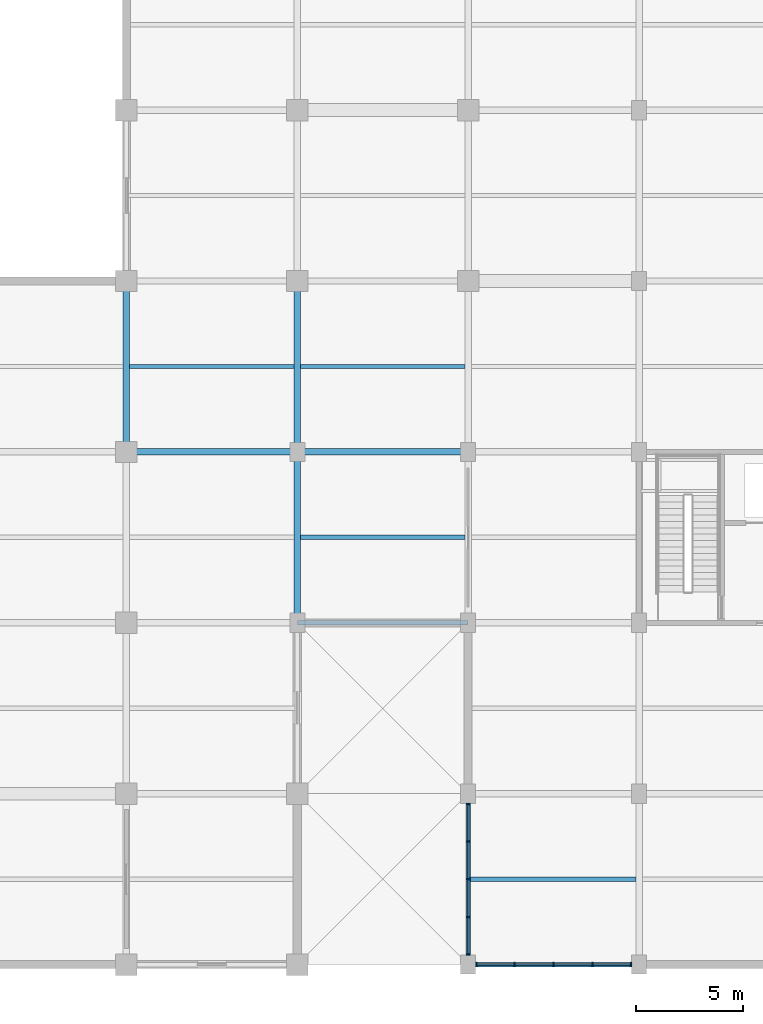
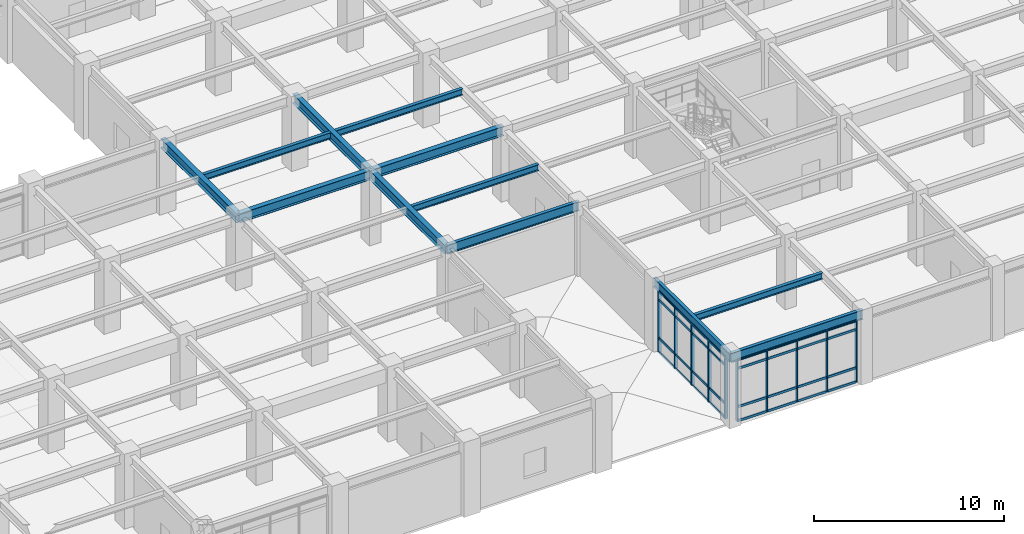
# One storey, part 26 of 117: 42 members, 12 beams, 2 elements without a shape of their own.
"""IFC4 building model written with IfcOpenShell, lengths in metres."""

from ifc_helpers import new_model, si_unit, direction, frame, origin, origin_2d, place, context, subcontext, project, spatial, rectangle, i_section, extrude, material, layer, layer_set, material_profile, profile_set, type_object, element, aggregate, save


model = new_model("IFC4")

# Units and contexts
model_context = context("Model", 3, precision=1e-05, world=origin(), true_north=direction((0.0, 1.0)))
body_context = subcontext(model_context, "Body", "Model", "MODEL_VIEW")
ifc_project = project(units=[si_unit("LENGTHUNIT", "METRE"), si_unit("AREAUNIT", "SQUARE_METRE"), si_unit("VOLUMEUNIT", "CUBIC_METRE"), si_unit("PLANEANGLEUNIT", "RADIAN"), si_unit("MASSUNIT", "GRAM", prefix="KILO")], contexts=[model_context])

# Site, building, storey
site_placement = place(None, origin())
site = spatial("IfcSite", under=ifc_project, at=site_placement, CompositionType="ELEMENT")
building_placement = place(site_placement, origin())
building = spatial("IfcBuilding", under=site, at=building_placement, Name="Haebicheon Civic Stadium", CompositionType="ELEMENT")
storey_placement = place(building_placement, frame((0.0, 0.0, 4.800048828125)))
storey = spatial("IfcBuildingStorey", under=building, at=storey_placement, Name="L02", CompositionType="ELEMENT", Elevation=4.800048828125)

# Beams
ifc_material_1 = material(Name="Steel SM355 (S355)", Category="steel")
ifc_material_profile_1 = material_profile(ifc_material_1, i_section(OverallWidth=0.300048828125, OverallDepth=0.60009765625, WebThickness=0.011962890625, FlangeThickness=0.02001953125, at=origin_2d()), Name="H-600x300x12x20")
ifc_profile_set_1 = profile_set([ifc_material_profile_1], Name="Steel SM355 (S355)")
beam_type_1 = type_object("IfcBeamType", Name="BM-ST-H600A", PredefinedType="BEAM", material=ifc_profile_set_1)
for number, where, z_axis, x_axis, name in (
    (1, (144.0, 24.0, 4.219970703125), (0.0, 1.0, 0.0), (-1.0, 0.0, 0.0), "L02 girder 19/D-E"),
    (2, (152.0, 16.0, 4.280029296875), (0.0, 1.0, 0.0), (-1.0, 0.0, 0.0), "L02 girder 20/C-D"),
    (3, (152.0, 24.0, 4.280029296875), (0.0, 1.0, 0.0), (-1.0, 0.0, 0.0), "L02 girder 20/D-E"),
    (4, (144.0, 24.0, 4.280029296875), (1.0, 0.0, 0.0), (0.0, 1.0, 0.0), "L02 beam D/19-20"),
    (5, (152.0, 24.0, 4.280029296875), (1.0, 0.0, 0.0), (0.0, 1.0, 0.0), "L02 beam D/20-21"),
):
    element("IfcBeam", number, at=place(storey_placement, frame(where, z_axis=z_axis, x_axis=x_axis)), inside=storey, type_object=beam_type_1, material=ifc_profile_set_1, Name=name, PredefinedType="BEAM", context=body_context, shape_type="SweptSolid", body=[
        extrude(i_section(OverallWidth=0.300048828125, OverallDepth=0.60009765625, WebThickness=0.011962890625, FlangeThickness=0.02001953125, at=origin_2d()), origin(), (0.0, 0.0, 1.0), 8.0),
    ])

# Curtain wall, members
ifc_material_2 = material(Name="Anodised aluminium and laminated glass", Category="aluminium")
ifc_layer_1 = layer(ifc_material_2, 0.179931640625, Name="Anodised aluminium and laminated glass")
ifc_layer_set_1 = layer_set([ifc_layer_1], Name="Anodised aluminium and laminated glass")
curtain_wall_type_1 = type_object("IfcCurtainWallType", Name="CW-7300x3910", PredefinedType="NOTDEFINED", material=ifc_layer_set_1)
curtain_wall_1_placement = place(storey_placement, origin())
curtain_wall_1 = element("IfcCurtainWall", 6, at=curtain_wall_1_placement, inside=storey, type_object=curtain_wall_type_1, material=ifc_layer_set_1, Name="L02 unitised curtain wall 053", PredefinedType="NOTDEFINED")
ifc_material_3 = material(Name="Anodised aluminium 6063-T6", Category="aluminium")
ifc_material_profile_2 = material_profile(ifc_material_3, rectangle(XDim=0.070068359375, YDim=0.199951171875, at=origin_2d()), Name="ALU-MULL-70x200")
ifc_profile_set_2 = profile_set([ifc_material_profile_2], Name="Anodised aluminium 6063-T6")
member_type_1 = type_object("IfcMemberType", Name="CWM-200x70", PredefinedType="MULLION", material=ifc_profile_set_2)
member_1_placement = place(storey_placement, frame((160.385009765625, 0.0, 0.0), z_axis=(0.0, 0.0, 1.0), x_axis=(1.0, 0.0, 0.0)))
member_1 = element("IfcMember", 7, at=member_1_placement, type_object=member_type_1, material=ifc_profile_set_2, Name="CW-L02-053 vertical mullion 1", PredefinedType="MULLION", context=body_context, shape_type="SweptSolid", body=[
    extrude(rectangle(XDim=0.070068359375, YDim=0.199951171875, at=origin_2d()), origin(), (0.0, 0.0, 1.0), 3.909912109375),
])
member_2_placement = place(storey_placement, frame((162.175048828125, 0.0, 0.0), z_axis=(0.0, 0.0, 1.0), x_axis=(1.0, 0.0, 0.0)))
member_2 = element("IfcMember", 8, at=member_2_placement, type_object=member_type_1, material=ifc_profile_set_2, Name="CW-L02-053 vertical mullion 2", PredefinedType="MULLION", context=body_context, shape_type="SweptSolid", body=[
    extrude(rectangle(XDim=0.070068359375, YDim=0.199951171875, at=origin_2d()), origin(), (0.0, 0.0, 1.0), 3.909912109375),
])
member_3_placement = place(storey_placement, frame((164.0, 0.0, 0.0), z_axis=(0.0, 0.0, 1.0), x_axis=(1.0, 0.0, 0.0)))
member_3 = element("IfcMember", 9, at=member_3_placement, type_object=member_type_1, material=ifc_profile_set_2, Name="CW-L02-053 vertical mullion 3", PredefinedType="MULLION", context=body_context, shape_type="SweptSolid", body=[
    extrude(rectangle(XDim=0.070068359375, YDim=0.199951171875, at=origin_2d()), origin(), (0.0, 0.0, 1.0), 3.909912109375),
])
member_4_placement = place(storey_placement, frame((165.824951171875, 0.0, 0.0), z_axis=(0.0, 0.0, 1.0), x_axis=(1.0, 0.0, 0.0)))
member_4 = element("IfcMember", 10, at=member_4_placement, type_object=member_type_1, material=ifc_profile_set_2, Name="CW-L02-053 vertical mullion 4", PredefinedType="MULLION", context=body_context, shape_type="SweptSolid", body=[
    extrude(rectangle(XDim=0.070068359375, YDim=0.199951171875, at=origin_2d()), origin(), (0.0, 0.0, 1.0), 3.909912109375),
])
member_5_placement = place(storey_placement, frame((167.614990234375, 0.0, 0.0), z_axis=(0.0, 0.0, 1.0), x_axis=(1.0, 0.0, 0.0)))
member_5 = element("IfcMember", 11, at=member_5_placement, type_object=member_type_1, material=ifc_profile_set_2, Name="CW-L02-053 vertical mullion 5", PredefinedType="MULLION", context=body_context, shape_type="SweptSolid", body=[
    extrude(rectangle(XDim=0.070068359375, YDim=0.199951171875, at=origin_2d()), origin(), (0.0, 0.0, 1.0), 3.909912109375),
])

ifc_material_4 = material(Name="Anodised aluminium and laminated glass", Category="aluminium")
ifc_layer_2 = layer(ifc_material_4, 0.179931640625, Name="Anodised aluminium and laminated glass")
ifc_layer_set_2 = layer_set([ifc_layer_2], Name="Anodised aluminium and laminated glass")
curtain_wall_type_2 = type_object("IfcCurtainWallType", Name="CW-7100x3910", PredefinedType="NOTDEFINED", material=ifc_layer_set_2)
curtain_wall_2_placement = place(storey_placement, origin())
curtain_wall_2 = element("IfcCurtainWall", 12, at=curtain_wall_2_placement, inside=storey, type_object=curtain_wall_type_2, material=ifc_layer_set_2, Name="L02 unitised curtain wall 054", PredefinedType="NOTDEFINED")
member_6_placement = place(storey_placement, frame((160.0, 0.485107421875, 0.0), z_axis=(0.0, 0.0, 1.0), x_axis=(0.0, 1.0, 0.0)))
member_6 = element("IfcMember", 13, at=member_6_placement, type_object=member_type_1, material=ifc_profile_set_2, Name="CW-L02-054 vertical mullion 1", PredefinedType="MULLION", context=body_context, shape_type="SweptSolid", body=[
    extrude(rectangle(XDim=0.070068359375, YDim=0.199951171875, at=origin_2d()), origin(), (0.0, 0.0, 1.0), 3.909912109375),
])
member_7_placement = place(storey_placement, frame((160.0, 2.22509765625, 0.0), z_axis=(0.0, 0.0, 1.0), x_axis=(0.0, 1.0, 0.0)))
member_7 = element("IfcMember", 14, at=member_7_placement, type_object=member_type_1, material=ifc_profile_set_2, Name="CW-L02-054 vertical mullion 2", PredefinedType="MULLION", context=body_context, shape_type="SweptSolid", body=[
    extrude(rectangle(XDim=0.070068359375, YDim=0.199951171875, at=origin_2d()), origin(), (0.0, 0.0, 1.0), 3.909912109375),
])
member_8_placement = place(storey_placement, frame((160.0, 4.0, 0.0), z_axis=(0.0, 0.0, 1.0), x_axis=(0.0, 1.0, 0.0)))
member_8 = element("IfcMember", 15, at=member_8_placement, type_object=member_type_1, material=ifc_profile_set_2, Name="CW-L02-054 vertical mullion 3", PredefinedType="MULLION", context=body_context, shape_type="SweptSolid", body=[
    extrude(rectangle(XDim=0.070068359375, YDim=0.199951171875, at=origin_2d()), origin(), (0.0, 0.0, 1.0), 3.909912109375),
])
member_9_placement = place(storey_placement, frame((160.0, 5.77490234375, 0.0), z_axis=(0.0, 0.0, 1.0), x_axis=(0.0, 1.0, 0.0)))
member_9 = element("IfcMember", 16, at=member_9_placement, type_object=member_type_1, material=ifc_profile_set_2, Name="CW-L02-054 vertical mullion 4", PredefinedType="MULLION", context=body_context, shape_type="SweptSolid", body=[
    extrude(rectangle(XDim=0.070068359375, YDim=0.199951171875, at=origin_2d()), origin(), (0.0, 0.0, 1.0), 3.909912109375),
])
member_10_placement = place(storey_placement, frame((160.0, 7.514892578125, 0.0), z_axis=(0.0, 0.0, 1.0), x_axis=(0.0, 1.0, 0.0)))
member_10 = element("IfcMember", 17, at=member_10_placement, type_object=member_type_1, material=ifc_profile_set_2, Name="CW-L02-054 vertical mullion 5", PredefinedType="MULLION", context=body_context, shape_type="SweptSolid", body=[
    extrude(rectangle(XDim=0.070068359375, YDim=0.199951171875, at=origin_2d()), origin(), (0.0, 0.0, 1.0), 3.909912109375),
])

# Member
ifc_material_5 = material(Name="Anodised aluminium 6063-T6", Category="aluminium")
ifc_material_profile_3 = material_profile(ifc_material_5, rectangle(XDim=0.070068359375, YDim=0.14990234375, at=origin_2d()), Name="ALU-TRAN-70x150")
ifc_profile_set_3 = profile_set([ifc_material_profile_3], Name="Anodised aluminium 6063-T6")
member_type_2 = type_object("IfcMemberType", Name="CWT-150x70", PredefinedType="NOTDEFINED", material=ifc_profile_set_3)
member_11_placement = place(storey_placement, frame((160.419921875, 0.0, 0.0), z_axis=(1.0, 0.0, 0.0), x_axis=(0.0, 1.0, 0.0)))
member_11 = element("IfcMember", 18, at=member_11_placement, type_object=member_type_2, material=ifc_profile_set_3, Name="CW-L02-053 horizontal transom 1.1", ObjectType="TRANSOM", PredefinedType="USERDEFINED", context=body_context, shape_type="SweptSolid", body=[
    extrude(rectangle(XDim=0.070068359375, YDim=0.14990234375, at=origin_2d()), origin(), (0.0, 0.0, 1.0), 1.719970703125),
])

member_12_placement = place(storey_placement, frame((160.419921875, 0.0, 0.89990234375), z_axis=(1.0, 0.0, 0.0), x_axis=(0.0, 1.0, 0.0)))
member_12 = element("IfcMember", 19, at=member_12_placement, type_object=member_type_2, material=ifc_profile_set_3, Name="CW-L02-053 horizontal transom 1.2", ObjectType="TRANSOM", PredefinedType="USERDEFINED", context=body_context, shape_type="SweptSolid", body=[
    extrude(rectangle(XDim=0.070068359375, YDim=0.14990234375, at=origin_2d()), origin(), (0.0, 0.0, 1.0), 1.719970703125),
])

member_13_placement = place(storey_placement, frame((160.419921875, 0.0, 3.35986328125), z_axis=(1.0, 0.0, 0.0), x_axis=(0.0, 1.0, 0.0)))
member_13 = element("IfcMember", 20, at=member_13_placement, type_object=member_type_2, material=ifc_profile_set_3, Name="CW-L02-053 horizontal transom 1.3", ObjectType="TRANSOM", PredefinedType="USERDEFINED", context=body_context, shape_type="SweptSolid", body=[
    extrude(rectangle(XDim=0.070068359375, YDim=0.14990234375, at=origin_2d()), origin(), (0.0, 0.0, 1.0), 1.719970703125),
])

member_14_placement = place(storey_placement, frame((160.419921875, 0.0, 3.909912109375), z_axis=(1.0, 0.0, 0.0), x_axis=(0.0, 1.0, 0.0)))
member_14 = element("IfcMember", 21, at=member_14_placement, type_object=member_type_2, material=ifc_profile_set_3, Name="CW-L02-053 horizontal transom 1.4", ObjectType="TRANSOM", PredefinedType="USERDEFINED", context=body_context, shape_type="SweptSolid", body=[
    extrude(rectangle(XDim=0.070068359375, YDim=0.14990234375, at=origin_2d()), origin(), (0.0, 0.0, 1.0), 1.719970703125),
])

member_15_placement = place(storey_placement, frame((162.2099609375, 0.0, 0.0), z_axis=(1.0, 0.0, 0.0), x_axis=(0.0, 1.0, 0.0)))
member_15 = element("IfcMember", 22, at=member_15_placement, type_object=member_type_2, material=ifc_profile_set_3, Name="CW-L02-053 horizontal transom 2.1", ObjectType="TRANSOM", PredefinedType="USERDEFINED", context=body_context, shape_type="SweptSolid", body=[
    extrude(rectangle(XDim=0.070068359375, YDim=0.14990234375, at=origin_2d()), origin(), (0.0, 0.0, 1.0), 1.755126953125),
])

member_16_placement = place(storey_placement, frame((162.2099609375, 0.0, 0.89990234375), z_axis=(1.0, 0.0, 0.0), x_axis=(0.0, 1.0, 0.0)))
member_16 = element("IfcMember", 23, at=member_16_placement, type_object=member_type_2, material=ifc_profile_set_3, Name="CW-L02-053 horizontal transom 2.2", ObjectType="TRANSOM", PredefinedType="USERDEFINED", context=body_context, shape_type="SweptSolid", body=[
    extrude(rectangle(XDim=0.070068359375, YDim=0.14990234375, at=origin_2d()), origin(), (0.0, 0.0, 1.0), 1.755126953125),
])

member_17_placement = place(storey_placement, frame((162.2099609375, 0.0, 3.35986328125), z_axis=(1.0, 0.0, 0.0), x_axis=(0.0, 1.0, 0.0)))
member_17 = element("IfcMember", 24, at=member_17_placement, type_object=member_type_2, material=ifc_profile_set_3, Name="CW-L02-053 horizontal transom 2.3", ObjectType="TRANSOM", PredefinedType="USERDEFINED", context=body_context, shape_type="SweptSolid", body=[
    extrude(rectangle(XDim=0.070068359375, YDim=0.14990234375, at=origin_2d()), origin(), (0.0, 0.0, 1.0), 1.755126953125),
])

member_18_placement = place(storey_placement, frame((162.2099609375, 0.0, 3.909912109375), z_axis=(1.0, 0.0, 0.0), x_axis=(0.0, 1.0, 0.0)))
member_18 = element("IfcMember", 25, at=member_18_placement, type_object=member_type_2, material=ifc_profile_set_3, Name="CW-L02-053 horizontal transom 2.4", ObjectType="TRANSOM", PredefinedType="USERDEFINED", context=body_context, shape_type="SweptSolid", body=[
    extrude(rectangle(XDim=0.070068359375, YDim=0.14990234375, at=origin_2d()), origin(), (0.0, 0.0, 1.0), 1.755126953125),
])

member_19_placement = place(storey_placement, frame((164.034912109375, 0.0, 0.0), z_axis=(1.0, 0.0, 0.0), x_axis=(0.0, 1.0, 0.0)))
member_19 = element("IfcMember", 26, at=member_19_placement, type_object=member_type_2, material=ifc_profile_set_3, Name="CW-L02-053 horizontal transom 3.1", ObjectType="TRANSOM", PredefinedType="USERDEFINED", context=body_context, shape_type="SweptSolid", body=[
    extrude(rectangle(XDim=0.070068359375, YDim=0.14990234375, at=origin_2d()), origin(), (0.0, 0.0, 1.0), 1.755126953125),
])

member_20_placement = place(storey_placement, frame((164.034912109375, 0.0, 0.89990234375), z_axis=(1.0, 0.0, 0.0), x_axis=(0.0, 1.0, 0.0)))
member_20 = element("IfcMember", 27, at=member_20_placement, type_object=member_type_2, material=ifc_profile_set_3, Name="CW-L02-053 horizontal transom 3.2", ObjectType="TRANSOM", PredefinedType="USERDEFINED", context=body_context, shape_type="SweptSolid", body=[
    extrude(rectangle(XDim=0.070068359375, YDim=0.14990234375, at=origin_2d()), origin(), (0.0, 0.0, 1.0), 1.755126953125),
])

member_21_placement = place(storey_placement, frame((164.034912109375, 0.0, 3.35986328125), z_axis=(1.0, 0.0, 0.0), x_axis=(0.0, 1.0, 0.0)))
member_21 = element("IfcMember", 28, at=member_21_placement, type_object=member_type_2, material=ifc_profile_set_3, Name="CW-L02-053 horizontal transom 3.3", ObjectType="TRANSOM", PredefinedType="USERDEFINED", context=body_context, shape_type="SweptSolid", body=[
    extrude(rectangle(XDim=0.070068359375, YDim=0.14990234375, at=origin_2d()), origin(), (0.0, 0.0, 1.0), 1.755126953125),
])

member_22_placement = place(storey_placement, frame((164.034912109375, 0.0, 3.909912109375), z_axis=(1.0, 0.0, 0.0), x_axis=(0.0, 1.0, 0.0)))
member_22 = element("IfcMember", 29, at=member_22_placement, type_object=member_type_2, material=ifc_profile_set_3, Name="CW-L02-053 horizontal transom 3.4", ObjectType="TRANSOM", PredefinedType="USERDEFINED", context=body_context, shape_type="SweptSolid", body=[
    extrude(rectangle(XDim=0.070068359375, YDim=0.14990234375, at=origin_2d()), origin(), (0.0, 0.0, 1.0), 1.755126953125),
])

member_23_placement = place(storey_placement, frame((165.860107421875, 0.0, 0.0), z_axis=(1.0, 0.0, 0.0), x_axis=(0.0, 1.0, 0.0)))
member_23 = element("IfcMember", 30, at=member_23_placement, type_object=member_type_2, material=ifc_profile_set_3, Name="CW-L02-053 horizontal transom 4.1", ObjectType="TRANSOM", PredefinedType="USERDEFINED", context=body_context, shape_type="SweptSolid", body=[
    extrude(rectangle(XDim=0.070068359375, YDim=0.14990234375, at=origin_2d()), origin(), (0.0, 0.0, 1.0), 1.719970703125),
])

member_24_placement = place(storey_placement, frame((165.860107421875, 0.0, 0.89990234375), z_axis=(1.0, 0.0, 0.0), x_axis=(0.0, 1.0, 0.0)))
member_24 = element("IfcMember", 31, at=member_24_placement, type_object=member_type_2, material=ifc_profile_set_3, Name="CW-L02-053 horizontal transom 4.2", ObjectType="TRANSOM", PredefinedType="USERDEFINED", context=body_context, shape_type="SweptSolid", body=[
    extrude(rectangle(XDim=0.070068359375, YDim=0.14990234375, at=origin_2d()), origin(), (0.0, 0.0, 1.0), 1.719970703125),
])

member_25_placement = place(storey_placement, frame((165.860107421875, 0.0, 3.35986328125), z_axis=(1.0, 0.0, 0.0), x_axis=(0.0, 1.0, 0.0)))
member_25 = element("IfcMember", 32, at=member_25_placement, type_object=member_type_2, material=ifc_profile_set_3, Name="CW-L02-053 horizontal transom 4.3", ObjectType="TRANSOM", PredefinedType="USERDEFINED", context=body_context, shape_type="SweptSolid", body=[
    extrude(rectangle(XDim=0.070068359375, YDim=0.14990234375, at=origin_2d()), origin(), (0.0, 0.0, 1.0), 1.719970703125),
])

member_26_placement = place(storey_placement, frame((165.860107421875, 0.0, 3.909912109375), z_axis=(1.0, 0.0, 0.0), x_axis=(0.0, 1.0, 0.0)))
member_26 = element("IfcMember", 33, at=member_26_placement, type_object=member_type_2, material=ifc_profile_set_3, Name="CW-L02-053 horizontal transom 4.4", ObjectType="TRANSOM", PredefinedType="USERDEFINED", context=body_context, shape_type="SweptSolid", body=[
    extrude(rectangle(XDim=0.070068359375, YDim=0.14990234375, at=origin_2d()), origin(), (0.0, 0.0, 1.0), 1.719970703125),
])

aggregate(curtain_wall_1, [member_1, member_2, member_3, member_4, member_5, member_11, member_12, member_13, member_14, member_15, member_16, member_17, member_18, member_19, member_20, member_21, member_22, member_23, member_24, member_25, member_26])

member_27_placement = place(storey_placement, frame((160.0, 0.52001953125, 0.0), z_axis=(0.0, 1.0, 0.0), x_axis=(-1.0, 0.0, 0.0)))
member_27 = element("IfcMember", 34, at=member_27_placement, type_object=member_type_2, material=ifc_profile_set_3, Name="CW-L02-054 horizontal transom 1.1", ObjectType="TRANSOM", PredefinedType="USERDEFINED", context=body_context, shape_type="SweptSolid", body=[
    extrude(rectangle(XDim=0.070068359375, YDim=0.14990234375, at=origin_2d()), origin(), (0.0, 0.0, 1.0), 1.669921875),
])

member_28_placement = place(storey_placement, frame((160.0, 0.52001953125, 0.89990234375), z_axis=(0.0, 1.0, 0.0), x_axis=(-1.0, 0.0, 0.0)))
member_28 = element("IfcMember", 35, at=member_28_placement, type_object=member_type_2, material=ifc_profile_set_3, Name="CW-L02-054 horizontal transom 1.2", ObjectType="TRANSOM", PredefinedType="USERDEFINED", context=body_context, shape_type="SweptSolid", body=[
    extrude(rectangle(XDim=0.070068359375, YDim=0.14990234375, at=origin_2d()), origin(), (0.0, 0.0, 1.0), 1.669921875),
])

member_29_placement = place(storey_placement, frame((160.0, 0.52001953125, 3.35986328125), z_axis=(0.0, 1.0, 0.0), x_axis=(-1.0, 0.0, 0.0)))
member_29 = element("IfcMember", 36, at=member_29_placement, type_object=member_type_2, material=ifc_profile_set_3, Name="CW-L02-054 horizontal transom 1.3", ObjectType="TRANSOM", PredefinedType="USERDEFINED", context=body_context, shape_type="SweptSolid", body=[
    extrude(rectangle(XDim=0.070068359375, YDim=0.14990234375, at=origin_2d()), origin(), (0.0, 0.0, 1.0), 1.669921875),
])

member_30_placement = place(storey_placement, frame((160.0, 0.52001953125, 3.909912109375), z_axis=(0.0, 1.0, 0.0), x_axis=(-1.0, 0.0, 0.0)))
member_30 = element("IfcMember", 37, at=member_30_placement, type_object=member_type_2, material=ifc_profile_set_3, Name="CW-L02-054 horizontal transom 1.4", ObjectType="TRANSOM", PredefinedType="USERDEFINED", context=body_context, shape_type="SweptSolid", body=[
    extrude(rectangle(XDim=0.070068359375, YDim=0.14990234375, at=origin_2d()), origin(), (0.0, 0.0, 1.0), 1.669921875),
])

member_31_placement = place(storey_placement, frame((160.0, 2.260009765625, 0.0), z_axis=(0.0, 1.0, 0.0), x_axis=(-1.0, 0.0, 0.0)))
member_31 = element("IfcMember", 38, at=member_31_placement, type_object=member_type_2, material=ifc_profile_set_3, Name="CW-L02-054 horizontal transom 2.1", ObjectType="TRANSOM", PredefinedType="USERDEFINED", context=body_context, shape_type="SweptSolid", body=[
    extrude(rectangle(XDim=0.070068359375, YDim=0.14990234375, at=origin_2d()), origin(), (0.0, 0.0, 1.0), 1.705078125),
])

member_32_placement = place(storey_placement, frame((160.0, 2.260009765625, 0.89990234375), z_axis=(0.0, 1.0, 0.0), x_axis=(-1.0, 0.0, 0.0)))
member_32 = element("IfcMember", 39, at=member_32_placement, type_object=member_type_2, material=ifc_profile_set_3, Name="CW-L02-054 horizontal transom 2.2", ObjectType="TRANSOM", PredefinedType="USERDEFINED", context=body_context, shape_type="SweptSolid", body=[
    extrude(rectangle(XDim=0.070068359375, YDim=0.14990234375, at=origin_2d()), origin(), (0.0, 0.0, 1.0), 1.705078125),
])

member_33_placement = place(storey_placement, frame((160.0, 2.260009765625, 3.35986328125), z_axis=(0.0, 1.0, 0.0), x_axis=(-1.0, 0.0, 0.0)))
member_33 = element("IfcMember", 40, at=member_33_placement, type_object=member_type_2, material=ifc_profile_set_3, Name="CW-L02-054 horizontal transom 2.3", ObjectType="TRANSOM", PredefinedType="USERDEFINED", context=body_context, shape_type="SweptSolid", body=[
    extrude(rectangle(XDim=0.070068359375, YDim=0.14990234375, at=origin_2d()), origin(), (0.0, 0.0, 1.0), 1.705078125),
])

member_34_placement = place(storey_placement, frame((160.0, 2.260009765625, 3.909912109375), z_axis=(0.0, 1.0, 0.0), x_axis=(-1.0, 0.0, 0.0)))
member_34 = element("IfcMember", 41, at=member_34_placement, type_object=member_type_2, material=ifc_profile_set_3, Name="CW-L02-054 horizontal transom 2.4", ObjectType="TRANSOM", PredefinedType="USERDEFINED", context=body_context, shape_type="SweptSolid", body=[
    extrude(rectangle(XDim=0.070068359375, YDim=0.14990234375, at=origin_2d()), origin(), (0.0, 0.0, 1.0), 1.705078125),
])

member_35_placement = place(storey_placement, frame((160.0, 4.034912109375, 0.0), z_axis=(0.0, 1.0, 0.0), x_axis=(-1.0, 0.0, 0.0)))
member_35 = element("IfcMember", 42, at=member_35_placement, type_object=member_type_2, material=ifc_profile_set_3, Name="CW-L02-054 horizontal transom 3.1", ObjectType="TRANSOM", PredefinedType="USERDEFINED", context=body_context, shape_type="SweptSolid", body=[
    extrude(rectangle(XDim=0.070068359375, YDim=0.14990234375, at=origin_2d()), origin(), (0.0, 0.0, 1.0), 1.705078125),
])

member_36_placement = place(storey_placement, frame((160.0, 4.034912109375, 0.89990234375), z_axis=(0.0, 1.0, 0.0), x_axis=(-1.0, 0.0, 0.0)))
member_36 = element("IfcMember", 43, at=member_36_placement, type_object=member_type_2, material=ifc_profile_set_3, Name="CW-L02-054 horizontal transom 3.2", ObjectType="TRANSOM", PredefinedType="USERDEFINED", context=body_context, shape_type="SweptSolid", body=[
    extrude(rectangle(XDim=0.070068359375, YDim=0.14990234375, at=origin_2d()), origin(), (0.0, 0.0, 1.0), 1.705078125),
])

member_37_placement = place(storey_placement, frame((160.0, 4.034912109375, 3.35986328125), z_axis=(0.0, 1.0, 0.0), x_axis=(-1.0, 0.0, 0.0)))
member_37 = element("IfcMember", 44, at=member_37_placement, type_object=member_type_2, material=ifc_profile_set_3, Name="CW-L02-054 horizontal transom 3.3", ObjectType="TRANSOM", PredefinedType="USERDEFINED", context=body_context, shape_type="SweptSolid", body=[
    extrude(rectangle(XDim=0.070068359375, YDim=0.14990234375, at=origin_2d()), origin(), (0.0, 0.0, 1.0), 1.705078125),
])

member_38_placement = place(storey_placement, frame((160.0, 4.034912109375, 3.909912109375), z_axis=(0.0, 1.0, 0.0), x_axis=(-1.0, 0.0, 0.0)))
member_38 = element("IfcMember", 45, at=member_38_placement, type_object=member_type_2, material=ifc_profile_set_3, Name="CW-L02-054 horizontal transom 3.4", ObjectType="TRANSOM", PredefinedType="USERDEFINED", context=body_context, shape_type="SweptSolid", body=[
    extrude(rectangle(XDim=0.070068359375, YDim=0.14990234375, at=origin_2d()), origin(), (0.0, 0.0, 1.0), 1.705078125),
])

member_39_placement = place(storey_placement, frame((160.0, 5.81005859375, 0.0), z_axis=(0.0, 1.0, 0.0), x_axis=(-1.0, 0.0, 0.0)))
member_39 = element("IfcMember", 46, at=member_39_placement, type_object=member_type_2, material=ifc_profile_set_3, Name="CW-L02-054 horizontal transom 4.1", ObjectType="TRANSOM", PredefinedType="USERDEFINED", context=body_context, shape_type="SweptSolid", body=[
    extrude(rectangle(XDim=0.070068359375, YDim=0.14990234375, at=origin_2d()), origin(), (0.0, 0.0, 1.0), 1.669921875),
])

member_40_placement = place(storey_placement, frame((160.0, 5.81005859375, 0.89990234375), z_axis=(0.0, 1.0, 0.0), x_axis=(-1.0, 0.0, 0.0)))
member_40 = element("IfcMember", 47, at=member_40_placement, type_object=member_type_2, material=ifc_profile_set_3, Name="CW-L02-054 horizontal transom 4.2", ObjectType="TRANSOM", PredefinedType="USERDEFINED", context=body_context, shape_type="SweptSolid", body=[
    extrude(rectangle(XDim=0.070068359375, YDim=0.14990234375, at=origin_2d()), origin(), (0.0, 0.0, 1.0), 1.669921875),
])

member_41_placement = place(storey_placement, frame((160.0, 5.81005859375, 3.35986328125), z_axis=(0.0, 1.0, 0.0), x_axis=(-1.0, 0.0, 0.0)))
member_41 = element("IfcMember", 48, at=member_41_placement, type_object=member_type_2, material=ifc_profile_set_3, Name="CW-L02-054 horizontal transom 4.3", ObjectType="TRANSOM", PredefinedType="USERDEFINED", context=body_context, shape_type="SweptSolid", body=[
    extrude(rectangle(XDim=0.070068359375, YDim=0.14990234375, at=origin_2d()), origin(), (0.0, 0.0, 1.0), 1.669921875),
])

member_42_placement = place(storey_placement, frame((160.0, 5.81005859375, 3.909912109375), z_axis=(0.0, 1.0, 0.0), x_axis=(-1.0, 0.0, 0.0)))
member_42 = element("IfcMember", 49, at=member_42_placement, type_object=member_type_2, material=ifc_profile_set_3, Name="CW-L02-054 horizontal transom 4.4", ObjectType="TRANSOM", PredefinedType="USERDEFINED", context=body_context, shape_type="SweptSolid", body=[
    extrude(rectangle(XDim=0.070068359375, YDim=0.14990234375, at=origin_2d()), origin(), (0.0, 0.0, 1.0), 1.669921875),
])

aggregate(curtain_wall_2, [member_6, member_7, member_8, member_9, member_10, member_27, member_28, member_29, member_30, member_31, member_32, member_33, member_34, member_35, member_36, member_37, member_38, member_39, member_40, member_41, member_42])

# Beams
ifc_material_6 = material(Name="Steel SM355 (S355)", Category="steel")
ifc_material_profile_4 = material_profile(ifc_material_6, i_section(OverallWidth=0.199951171875, OverallDepth=0.39990234375, WebThickness=0.008056640625, FlangeThickness=0.012939453125, at=origin_2d()), Name="H-400x200x8x13")
ifc_profile_set_4 = profile_set([ifc_material_profile_4], Name="Steel SM355 (S355)")
beam_type_2 = type_object("IfcBeamType", Name="JST-ST-H400", PredefinedType="JOIST", material=ifc_profile_set_4)
for number, where, z_axis, x_axis, name in (
    (50, (144.14990234375, 28.0, 4.3798828125), (1.0, 0.0, 0.0), (0.0, 1.0, 0.0), "L02 secondary joist 18-03"),
    (51, (152.14990234375, 20.0, 4.3798828125), (1.0, 0.0, 0.0), (0.0, 1.0, 0.0), "L02 secondary joist 19-02"),
    (52, (152.14990234375, 28.0, 4.3798828125), (1.0, 0.0, 0.0), (0.0, 1.0, 0.0), "L02 secondary joist 19-03"),
):
    element("IfcBeam", number, at=place(storey_placement, frame(where, z_axis=z_axis, x_axis=x_axis)), inside=storey, type_object=beam_type_2, material=ifc_profile_set_4, Name=name, PredefinedType="JOIST", context=body_context, shape_type="SweptSolid", body=[
        extrude(i_section(OverallWidth=0.199951171875, OverallDepth=0.39990234375, WebThickness=0.008056640625, FlangeThickness=0.012939453125, at=origin_2d()), origin(), (0.0, 0.0, 1.0), 7.7001953125),
    ])
beam_placement = place(storey_placement, frame((160.10009765625, 4.0, 4.320068359375), z_axis=(1.0, 0.0, 0.0), x_axis=(0.0, 1.0, 0.0)))
element("IfcBeam", 53, at=beam_placement, inside=storey, type_object=beam_type_2, material=ifc_profile_set_4, Name="L02 secondary joist 20-00", PredefinedType="JOIST", context=body_context, shape_type="SweptSolid", body=[
    extrude(i_section(OverallWidth=0.199951171875, OverallDepth=0.39990234375, WebThickness=0.008056640625, FlangeThickness=0.012939453125, at=origin_2d()), origin(), (0.0, 0.0, 1.0), 7.75),
])
ifc_material_7 = material(Name="Steel SM355 (S355)", Category="steel")
ifc_material_profile_5 = material_profile(ifc_material_7, i_section(OverallWidth=0.199951171875, OverallDepth=0.60009765625, WebThickness=0.010986328125, FlangeThickness=0.01708984375, at=origin_2d()), Name="H-600x200x11x17")
ifc_profile_set_5 = profile_set([ifc_material_profile_5], Name="Steel SM355 (S355)")
beam_type_3 = type_object("IfcBeamType", Name="SPD-ST-H600B", PredefinedType="SPANDREL", material=ifc_profile_set_5)
for number, where, z_axis, x_axis, name in (
    (54, (160.0, 0.0, 4.219970703125), (0.0, 1.0, 0.0), (-1.0, 0.0, 0.0), "L02 girder 21/A-B"),
    (55, (152.0, 16.0, 4.280029296875), (1.0, 0.0, 0.0), (0.0, 1.0, 0.0), "L02 beam C/20-21"),
    (56, (160.0, 0.0, 4.219970703125), (1.0, 0.0, 0.0), (0.0, 1.0, 0.0), "L02 beam A/21-22"),
):
    element("IfcBeam", number, at=place(storey_placement, frame(where, z_axis=z_axis, x_axis=x_axis)), inside=storey, type_object=beam_type_3, material=ifc_profile_set_5, Name=name, PredefinedType="SPANDREL", context=body_context, shape_type="SweptSolid", body=[
        extrude(i_section(OverallWidth=0.199951171875, OverallDepth=0.60009765625, WebThickness=0.010986328125, FlangeThickness=0.01708984375, at=origin_2d()), origin(), (0.0, 0.0, 1.0), 8.0),
    ])

save(model, "model.ifc")
